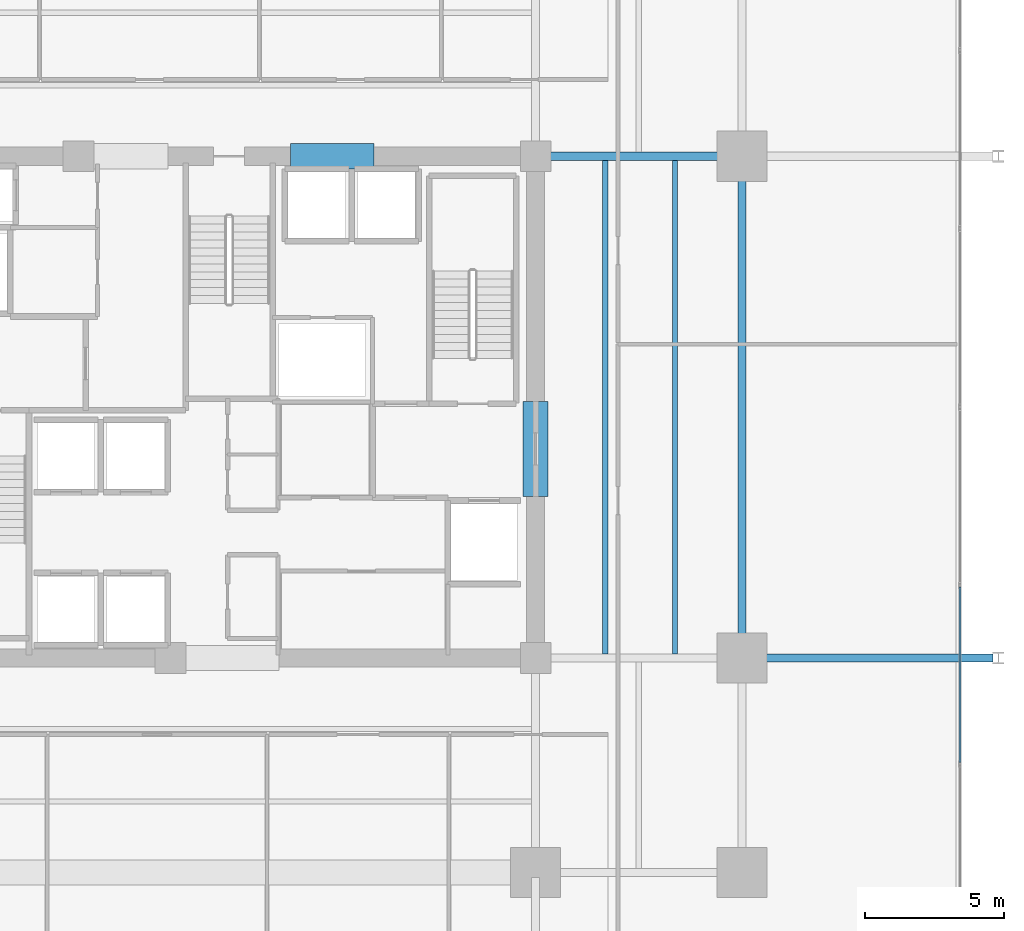
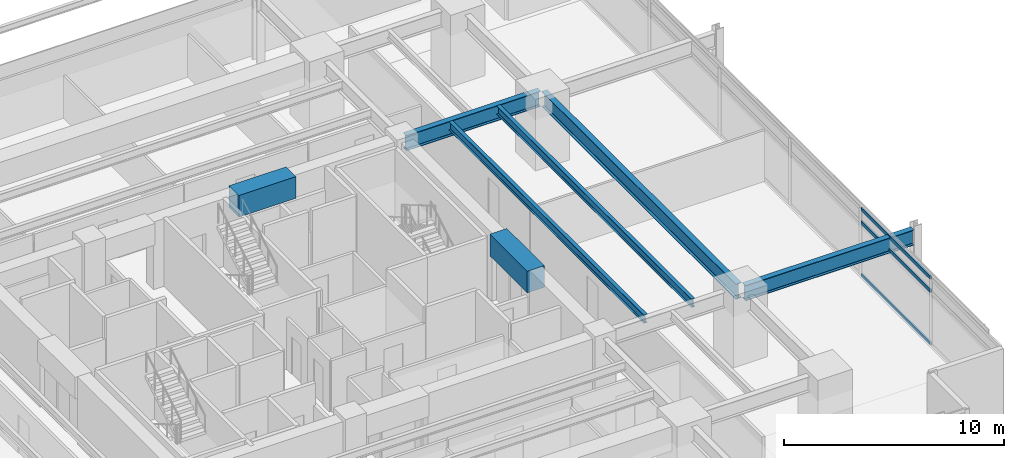
# One storey, part 8 of 22: 7 beams, 3 members, 1 element without a shape of its own.
"""IFC4 building model written with IfcOpenShell, lengths in metres."""

import ifcopenshell
import ifcopenshell.guid

model = None  # the IFC model being written
_history = None  # IfcOwnerHistory: only IFC2X3 demands one
_inside = {}  # id of a spatial element -> (the spatial element, [elements in it])
_under = {}  # id of a project, library or spatial element -> (it, [spatial elements below it])
_declared = {}  # id of a project -> (the project, [libraries it declares])
_typed = {}  # id of a type object -> (the type object, [elements of that type])
_made_of = {}  # id of a material, layer set ... -> (it, [elements and type objects made of it])


def new_model(schema):
    """Start an empty IFC model of exactly this schema.

    Asked for "IFC4X3", IfcOpenShell would pick the latest addendum, in which some entities
    have other attributes; the version numbers below select the first issue.
    IFC2X3 requires an IfcOwnerHistory on every rooted entity: one is made here for all.
    """
    global model, _history
    if schema == "IFC4X3":
        model = ifcopenshell.file(schema_version=(4, 3, 0, 0))
    else:
        model = ifcopenshell.file(schema=schema)
    _inside.clear()
    _under.clear()
    _declared.clear()
    _typed.clear()
    _made_of.clear()
    _history = None
    if model.schema == "IFC2X3":
        org = make("IfcOrganization", Name="unknown")
        user = make(
            "IfcPersonAndOrganization",
            ThePerson=make("IfcPerson", FamilyName="unknown"),
            TheOrganization=org,
        )
        app = make(
            "IfcApplication",
            ApplicationDeveloper=org,
            Version="unknown",
            ApplicationFullName="unknown",
            ApplicationIdentifier="unknown",
        )
        _history = make(
            "IfcOwnerHistory",
            OwningUser=user,
            OwningApplication=app,
            ChangeAction="ADDED",
            CreationDate=0,
        )
    return model


def make(cls, **values):
    """One entity of the class cls with the attributes given. An attribute that is None is left unset."""
    return model.create_entity(
        cls, **{name: value for name, value in values.items() if value is not None}
    )


def rooted(cls, **values):
    """An entity with a GlobalId (a new one), such as an element, a storey or a relation."""
    return make(cls, GlobalId=ifcopenshell.guid.new(), OwnerHistory=_history, **values)


def si_unit(unit_type, name, prefix=None):
    """IfcSIUnit, for example si_unit("LENGTHUNIT", "METRE", prefix="MILLI")."""
    return make("IfcSIUnit", UnitType=unit_type, Prefix=prefix, Name=name)


def assignment(units):
    """IfcUnitAssignment: the units of a project."""
    return None if units is None else make("IfcUnitAssignment", Units=units)


def point(xyz):
    """IfcCartesianPoint."""
    return None if xyz is None else make("IfcCartesianPoint", Coordinates=xyz)


def direction(xyz):
    """IfcDirection."""
    return None if xyz is None else make("IfcDirection", DirectionRatios=xyz)


def frame(location, z_axis=None, x_axis=None):
    """IfcAxis2Placement3D, a coordinate frame: its origin and axes. An axis left out is left unset."""
    return make(
        "IfcAxis2Placement3D",
        Location=point(location),
        Axis=direction(z_axis),
        RefDirection=direction(x_axis),
    )


def frame_2d(location, x_axis=None):
    """IfcAxis2Placement2D, a coordinate frame in the plane: its origin and x axis."""
    return make(
        "IfcAxis2Placement2D", Location=point(location), RefDirection=direction(x_axis)
    )


def origin():
    """The frame at (0, 0, 0) with its axes left unset."""
    return frame((0.0, 0.0, 0.0))


def origin_2d():
    """The frame at (0, 0) in the plane with its x axis left unset."""
    return frame_2d((0.0, 0.0))


def place(relative_to, where):
    """IfcLocalPlacement: puts the frame where relative to a parent placement (None: the world)."""
    return make(
        "IfcLocalPlacement", PlacementRelTo=relative_to, RelativePlacement=where
    )


def context(
    kind, dimensions, precision=None, world=None, true_north=None, identifier=None
):
    """IfcGeometricRepresentationContext, for example the 3D "Model" context."""
    return make(
        "IfcGeometricRepresentationContext",
        ContextIdentifier=identifier,
        ContextType=kind,
        CoordinateSpaceDimension=dimensions,
        Precision=precision,
        WorldCoordinateSystem=world,
        TrueNorth=true_north,
    )


def subcontext(parent, identifier, kind, view, scale=None):
    """IfcGeometricRepresentationSubContext, for example "Body" below "Model"."""
    return make(
        "IfcGeometricRepresentationSubContext",
        ContextIdentifier=identifier,
        ContextType=kind,
        ParentContext=parent,
        TargetScale=scale,
        TargetView=view,
    )


def project(units=None, contexts=None):
    """IfcProject with its units and contexts."""
    return rooted(
        "IfcProject",
        Name="project",
        RepresentationContexts=contexts,
        UnitsInContext=assignment(units),
    )


def spatial(cls, under=None, at=None, **own):
    """A site, building, storey or space (cls), placed at a placement, below another one or the project."""
    s = rooted(cls, ObjectPlacement=at, **own)
    if under is not None:
        _under.setdefault(under.id(), (under, []))[1].append(s)
    return s


def profile(cls, at=None, kind="AREA", **sizes):
    """A parametric profile (cls). Its sizes go by their IFC names, for example OverallWidth=200.0."""
    return make(cls, ProfileType=kind, Position=at, **sizes)


def rectangle(**sizes):
    """IfcRectangleProfileDef."""
    return profile("IfcRectangleProfileDef", **sizes)


def hollow_rectangle(**sizes):
    """IfcRectangleHollowProfileDef."""
    return profile("IfcRectangleHollowProfileDef", **sizes)


def i_section(**sizes):
    """IfcIShapeProfileDef."""
    return profile("IfcIShapeProfileDef", **sizes)


def extrude(swept, where, along, depth):
    """IfcExtrudedAreaSolid: the profile swept, set in the frame where, extruded along a direction by depth."""
    return make(
        "IfcExtrudedAreaSolid",
        SweptArea=swept,
        Position=where,
        ExtrudedDirection=direction(along),
        Depth=depth,
    )


def shape(context_of_items, identifier, shape_type, items):
    """IfcShapeRepresentation: the items that make up one representation, for example the "Body"."""
    return make(
        "IfcShapeRepresentation",
        ContextOfItems=context_of_items,
        RepresentationIdentifier=identifier,
        RepresentationType=shape_type,
        Items=items,
    )


def material(Name=None, Category=None):
    """IfcMaterial."""
    return make("IfcMaterial", Name=Name, Category=Category)


def material_profile(
    of_material, cross_section, Name=None, Category=None, Priority=None
):
    """IfcMaterialProfile: a cross section and its material."""
    return make(
        "IfcMaterialProfile",
        Name=Name,
        Material=of_material,
        Profile=cross_section,
        Priority=Priority,
        Category=Category,
    )


def profile_set(profiles, Name=None, composite=None):
    """IfcMaterialProfileSet."""
    return make(
        "IfcMaterialProfileSet",
        Name=Name,
        MaterialProfiles=profiles,
        CompositeProfile=composite,
    )


def made_of(thing, what):
    """Note that an element or type object is made of a material, layer set ...; save() writes the relation."""
    if what is not None:
        _made_of.setdefault(what.id(), (what, []))[1].append(thing)
    return thing


def type_object(cls, material=None, **own):
    """A type object (cls), such as IfcWallType, which elements share."""
    return made_of(rooted(cls, **own), material)


def element(
    cls,
    number,
    at=None,
    inside=None,
    cuts=None,
    type_object=None,
    material=None,
    context=None,
    identifier="Body",
    shape_type=None,
    held_by="IfcProductDefinitionShape",
    body=None,
    shapes=None,
    **own,
):
    """One element of the class cls, such as IfcWall. Its Tag is "e" and its number.

    at: its placement. inside: the storey or other place that contains it. cuts: it is an
    opening in that element (IfcRelVoidsElement). A single representation is given by context,
    identifier, shape_type and body (its items); several are given by shapes. held_by: the class
    of the entity that holds the representations. save() writes the other relations.
    """
    e = rooted(cls, Tag="e%d" % number, ObjectPlacement=at, **own)
    if body is not None:
        shapes = [shape(context, identifier, shape_type, body)]
    if shapes is not None:
        e.Representation = make(held_by, Representations=shapes)
    if inside is not None:
        _inside.setdefault(inside.id(), (inside, []))[1].append(e)
    if cuts is not None:
        rooted(
            "IfcRelVoidsElement", RelatingBuildingElement=cuts, RelatedOpeningElement=e
        )
    if type_object is not None:
        _typed.setdefault(type_object.id(), (type_object, []))[1].append(e)
    return made_of(e, material)


def aggregate(whole, parts):
    """IfcRelAggregates: a whole, such as a stair, and the parts it consists of."""
    return rooted("IfcRelAggregates", RelatingObject=whole, RelatedObjects=parts)


def save(model, path):
    """Write the relations noted so far, then the file.

    IfcRelAggregates (storeys below a building ...), IfcRelContainedInSpatialStructure (elements
    in a storey), IfcRelDefinesByType, IfcRelAssociatesMaterial and IfcRelDeclares: one each for
    every whole, place, type object, material and project.
    """
    for whole, parts in _under.values():
        aggregate(whole, parts)
    for where, things in _inside.values():
        rooted(
            "IfcRelContainedInSpatialStructure",
            RelatedElements=things,
            RelatingStructure=where,
        )
    for kind, things in _typed.values():
        rooted("IfcRelDefinesByType", RelatedObjects=things, RelatingType=kind)
    for what, things in _made_of.values():
        rooted("IfcRelAssociatesMaterial", RelatedObjects=things, RelatingMaterial=what)
    for by, libraries in _declared.values():
        rooted("IfcRelDeclares", RelatingContext=by, RelatedDefinitions=libraries)
    model.write(path)


model = new_model("IFC4")

# Units and contexts
model_context = context("Model", 3, precision=1e-05, world=origin(), true_north=direction((0.0, 1.0)))
body_context = subcontext(model_context, "Body", "Model", "MODEL_VIEW")
ifc_project = project(units=[si_unit("LENGTHUNIT", "METRE"), si_unit("AREAUNIT", "SQUARE_METRE"), si_unit("VOLUMEUNIT", "CUBIC_METRE"), si_unit("PLANEANGLEUNIT", "RADIAN"), si_unit("MASSUNIT", "GRAM", prefix="KILO")], contexts=[model_context])

# Site, building, storey
site_placement = place(None, origin())
site = spatial("IfcSite", under=ifc_project, at=site_placement, CompositionType="ELEMENT")
building_placement = place(site_placement, origin())
building = spatial("IfcBuilding", under=site, at=building_placement, Name="Kovane Verandah Tower", CompositionType="ELEMENT")
storey_placement = place(building_placement, frame((0.0, 0.0, 79.60009765625)))
storey = spatial("IfcBuildingStorey", under=building, at=storey_placement, Name="L18", CompositionType="ELEMENT", Elevation=79.60009765625)

# Beams
ifc_material_1 = material(Name="Concrete C80/95", Category="concrete")
ifc_material_profile_1 = material_profile(ifc_material_1, rectangle(XDim=0.89990234375, YDim=1.199951171875, at=origin_2d()), Name="RCB900x1200")
ifc_profile_set_1 = profile_set([ifc_material_profile_1], Name="Concrete C80/95")
beam_type_1 = type_object("IfcBeamType", Name="BM-LINTEL-900x1200", PredefinedType="LINTEL", material=ifc_profile_set_1)
beam_1_placement = place(storey_placement, frame((42.199951171875, 36.5, 3.159912109375), z_axis=(1.0, 0.0, 0.0), x_axis=(0.0, 1.0, 0.0)))
element("IfcBeam", 1, at=beam_1_placement, inside=storey, type_object=beam_type_1, Name="L18 Core Coupling Lintel CL-N2", PredefinedType="LINTEL", context=body_context, shape_type="SweptSolid", body=[
    extrude(rectangle(XDim=0.89990234375, YDim=1.199951171875, at=origin_2d()), origin(), (0.0, 0.0, 1.0), 3.0),
])
beam_2_placement = place(storey_placement, frame((51.0, 24.300048828125, 3.159912109375), z_axis=(0.0, 1.0, 0.0), x_axis=(-1.0, 0.0, 0.0)))
element("IfcBeam", 2, at=beam_2_placement, inside=storey, type_object=beam_type_1, Name="L18 Core Coupling Lintel CL-E", PredefinedType="LINTEL", context=body_context, shape_type="SweptSolid", body=[
    extrude(rectangle(XDim=0.89990234375, YDim=1.199951171875, at=origin_2d()), origin(), (0.0, 0.0, 1.0), 3.39990234375),
])
ifc_material_2 = material(Name="Steel S355", Category="steel")
ifc_material_profile_2 = material_profile(ifc_material_2, i_section(OverallWidth=0.293701171875, OverallDepth=0.850830078125, WebThickness=0.01611328125, FlangeThickness=0.02685546875, FilletRadius=0.017822265625, at=origin_2d()), Name="UB838x292x226")
ifc_profile_set_2 = profile_set([ifc_material_profile_2], Name="Steel S355")
beam_type_2 = type_object("IfcBeamType", Name="BM-UB838x226", PredefinedType="BEAM", material=ifc_profile_set_2)
beam_3_placement = place(storey_placement, frame((58.39990234375, 18.679931640625, 3.33447265625), z_axis=(0.0, 1.0, 0.0), x_axis=(-1.0, 0.0, 0.0)))
element("IfcBeam", 3, at=beam_3_placement, inside=storey, type_object=beam_type_2, Name="L18 Primary Tower Girder G-RE2", PredefinedType="BEAM", context=body_context, shape_type="SweptSolid", body=[
    extrude(i_section(OverallWidth=0.293701171875, OverallDepth=0.850830078125, WebThickness=0.01611328125, FlangeThickness=0.02685546875, FilletRadius=0.017822265625, at=origin_2d()), origin(), (0.0, 0.0, 1.0), 17.64013671875),
])
beam_4_placement = place(storey_placement, frame((51.179931640625, 36.5, 3.33447265625), z_axis=(1.0, 0.0, 0.0), x_axis=(0.0, 1.0, 0.0)))
element("IfcBeam", 4, at=beam_4_placement, inside=storey, type_object=beam_type_2, Name="L18 Primary Tower Girder G-E2", PredefinedType="BEAM", context=body_context, shape_type="SweptSolid", body=[
    extrude(i_section(OverallWidth=0.293701171875, OverallDepth=0.850830078125, WebThickness=0.01611328125, FlangeThickness=0.02685546875, FilletRadius=0.017822265625, at=origin_2d()), origin(), (0.0, 0.0, 1.0), 7.0400390625),
])
beam_5_placement = place(storey_placement, frame((58.580078125, 18.5, 3.33447265625), z_axis=(1.0, 0.0, 0.0), x_axis=(0.0, 1.0, 0.0)))
element("IfcBeam", 5, at=beam_5_placement, inside=storey, type_object=beam_type_2, Name="L18 Primary Tower Girder G-VE1", PredefinedType="BEAM", context=body_context, shape_type="SweptSolid", body=[
    extrude(i_section(OverallWidth=0.293701171875, OverallDepth=0.850830078125, WebThickness=0.01611328125, FlangeThickness=0.02685546875, FilletRadius=0.017822265625, at=origin_2d()), origin(), (0.0, 0.0, 1.0), 8.83984375),
])

# Curtain wall, members
ifc_material_3 = material(Name="Champagne Anodised Aluminium Frame with Low-E Clear Laminated Glass", Category="aluminium")
curtain_wall_type = type_object("IfcCurtainWallType", Name="CW-SYS-02-LOW", PredefinedType="NOTDEFINED", material=ifc_material_3)
curtain_wall_placement = place(storey_placement, origin())
curtain_wall = element("IfcCurtainWall", 6, at=curtain_wall_placement, inside=storey, type_object=curtain_wall_type, Name="L18 E Unitised Curtain Wall", PredefinedType="NOTDEFINED")
ifc_material_4 = material(Name="Champagne Anodised Aluminium 6063-T6", Category="aluminium")
ifc_material_profile_3 = material_profile(ifc_material_4, hollow_rectangle(XDim=0.0849609375, YDim=0.18994140625, WallThickness=0.00390625, at=origin_2d()), Name="AL85x190x4")
ifc_profile_set_3 = profile_set([ifc_material_profile_3], Name="Champagne Anodised Aluminium 6063-T6")
member_type = type_object("IfcMemberType", Name="CW-TRN-85x190", PredefinedType="USERDEFINED", material=ifc_profile_set_3)
member_1_placement = place(storey_placement, frame((66.228759765625, 14.75, 0.0498046875), z_axis=(0.0, 1.0, 0.0), x_axis=(-1.0, 0.0, 0.0)))
member_1 = element("IfcMember", 7, at=member_1_placement, type_object=member_type, Name="L18 E Unitised Curtain Wall Transom TB Bay 2", ObjectType="TRANSOM", PredefinedType="USERDEFINED", context=body_context, shape_type="SweptSolid", body=[
    extrude(hollow_rectangle(XDim=0.0849609375, YDim=0.18994140625, WallThickness=0.00390625, at=origin_2d()), origin(), (0.0, 0.0, 1.0), 6.300048828125),
])
member_2_placement = place(storey_placement, frame((66.228759765625, 14.75, 2.97998046875), z_axis=(0.0, 1.0, 0.0), x_axis=(-1.0, 0.0, 0.0)))
member_2 = element("IfcMember", 8, at=member_2_placement, type_object=member_type, Name="L18 E Unitised Curtain Wall Transom TM Bay 2", ObjectType="TRANSOM", PredefinedType="USERDEFINED", context=body_context, shape_type="SweptSolid", body=[
    extrude(hollow_rectangle(XDim=0.0849609375, YDim=0.18994140625, WallThickness=0.00390625, at=origin_2d()), origin(), (0.0, 0.0, 1.0), 6.300048828125),
])
member_3_placement = place(storey_placement, frame((66.228759765625, 14.75, 3.7099609375), z_axis=(0.0, 1.0, 0.0), x_axis=(-1.0, 0.0, 0.0)))
member_3 = element("IfcMember", 9, at=member_3_placement, type_object=member_type, Name="L18 E Unitised Curtain Wall Transom TT Bay 2", ObjectType="TRANSOM", PredefinedType="USERDEFINED", context=body_context, shape_type="SweptSolid", body=[
    extrude(hollow_rectangle(XDim=0.0849609375, YDim=0.18994140625, WallThickness=0.00390625, at=origin_2d()), origin(), (0.0, 0.0, 1.0), 6.300048828125),
])
aggregate(curtain_wall, [member_1, member_2, member_3])

# Beams
ifc_material_profile_4 = material_profile(ifc_material_2, i_section(OverallWidth=0.19287109375, OverallDepth=0.46728515625, WebThickness=0.011474609375, FlangeThickness=0.01953125, FilletRadius=0.01025390625, at=origin_2d()), Name="UB457x191x98")
ifc_profile_set_4 = profile_set([ifc_material_profile_4], Name="Steel S355")
beam_type_3 = type_object("IfcBeamType", Name="JST-UB457x98", PredefinedType="JOIST", material=ifc_profile_set_4)
for number, where, z_axis, x_axis, name in (
    (10, (53.5, 18.64501953125, 3.5263671875), (0.0, 1.0, 0.0), (-1.0, 0.0, 0.0), "L18 Secondary Composite Joist J-E1"),
    (11, (56.0, 18.64501953125, 3.5263671875), (0.0, 1.0, 0.0), (-1.0, 0.0, 0.0), "L18 Secondary Composite Joist J-E2"),
):
    element("IfcBeam", number, at=place(storey_placement, frame(where, z_axis=z_axis, x_axis=x_axis)), inside=storey, type_object=beam_type_3, Name=name, PredefinedType="JOIST", context=body_context, shape_type="SweptSolid", body=[
        extrude(i_section(OverallWidth=0.19287109375, OverallDepth=0.46728515625, WebThickness=0.011474609375, FlangeThickness=0.01953125, FilletRadius=0.01025390625, at=origin_2d()), origin(), (0.0, 0.0, 1.0), 17.7099609375),
    ])

save(model, "model.ifc")
